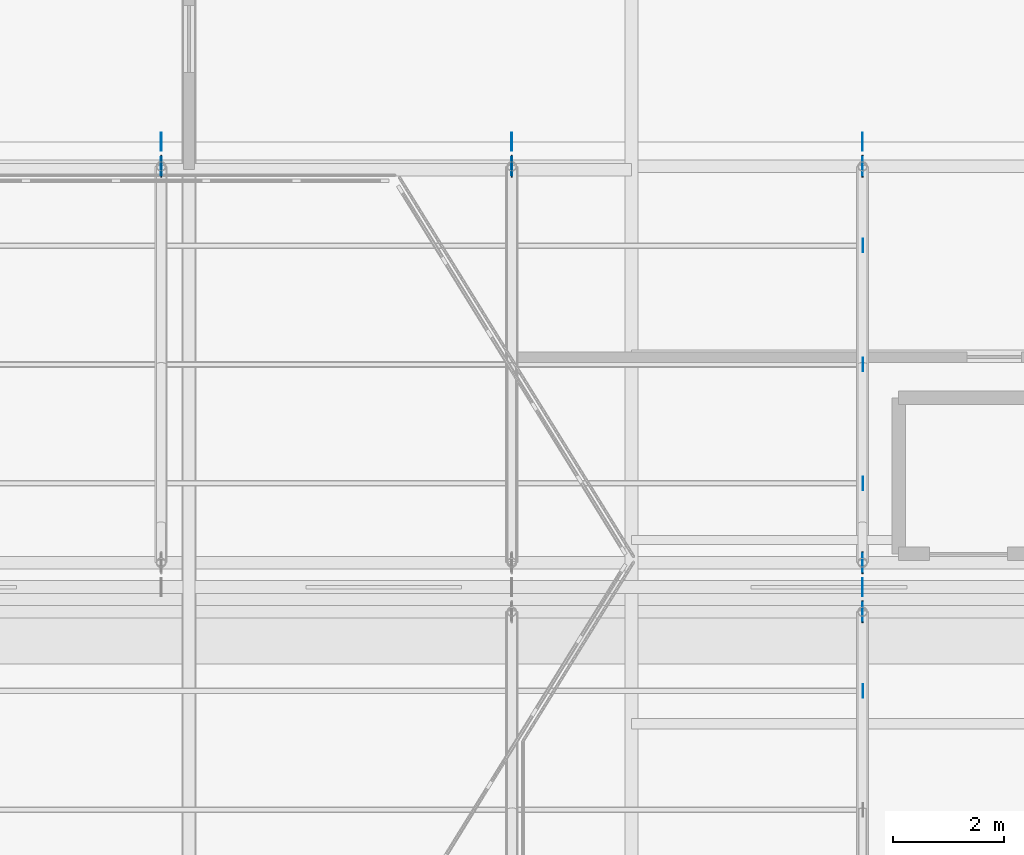
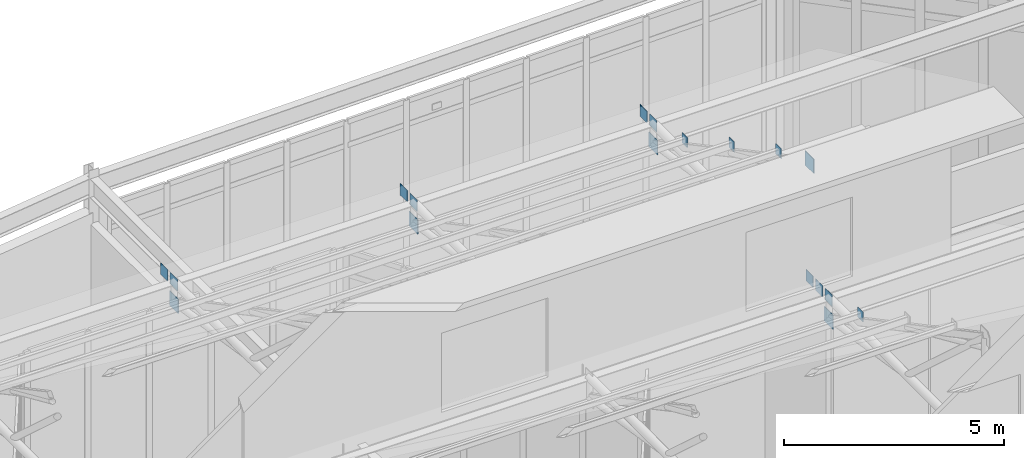
# One storey, part 53 of 66: 18 plates.
"""IFC4 building model written with IfcOpenShell, lengths in metres."""

from ifc_helpers import new_model, si_unit, direction, frame, origin, origin_2d, place, context, subcontext, project, spatial, rectangle, extrude, material, layer, layer_set, type_object, element, save


model = new_model("IFC4")

# Units and contexts
model_context = context("Model", 3, precision=1e-05, world=origin(), true_north=direction((0.0, 1.0)))
body_context = subcontext(model_context, "Body", "Model", "MODEL_VIEW")
ifc_project = project(units=[si_unit("LENGTHUNIT", "METRE"), si_unit("AREAUNIT", "SQUARE_METRE"), si_unit("VOLUMEUNIT", "CUBIC_METRE"), si_unit("PLANEANGLEUNIT", "RADIAN"), si_unit("MASSUNIT", "GRAM", prefix="KILO")], contexts=[model_context])

# Site, building, storey
site_placement = place(None, origin())
site = spatial("IfcSite", under=ifc_project, at=site_placement, CompositionType="ELEMENT")
building_placement = place(site_placement, origin())
building = spatial("IfcBuilding", under=site, at=building_placement, Name="Tameran Prism Museum", CompositionType="ELEMENT")
storey_placement = place(building_placement, frame((0.0, 0.0, 19.800048828125)))
storey = spatial("IfcBuildingStorey", under=building, at=storey_placement, Name="L04", CompositionType="ELEMENT", Elevation=19.800048828125)

# Plates
ifc_material_1 = material(Name="Steel Grade 350 (350 MPa)", Category="steel")
ifc_layer_1 = layer(ifc_material_1, 0.01611328125)
ifc_layer_set_1 = layer_set([ifc_layer_1])
plate_type_1 = type_object("IfcPlateType", Name="PL-CAP-16", PredefinedType="USERDEFINED", material=ifc_layer_set_1)
plate_placement = place(storey_placement, frame((89.60791015625, 34.135986328125, 9.0361328125), z_axis=(0.0, 0.0, 1.0), x_axis=(1.0, 0.0, 0.0)))
element("IfcPlate", 1, at=plate_placement, inside=storey, type_object=plate_type_1, Name="Purlin End Cap Plate PR-033 E", ObjectType="GUSSET PLATE", PredefinedType="USERDEFINED", context=body_context, shape_type="SweptSolid", body=[
    extrude(rectangle(XDim=0.01611328125, YDim=0.239990234375, at=origin_2d()), origin(), (0.0, 0.0, 1.0), 0.280029296875),
])
for number, where, z_axis, x_axis, name in (
    (2, (89.60009765625, 35.56005859375, 8.6259765625), (0.0, 0.0, 1.0), (1.0, 0.0, 0.0), "Truss Node Gusset Plate GP-0146"),
    (3, (89.60009765625, 36.0, 8.6259765625), (0.0, 0.0, 1.0), (1.0, 0.0, 0.0), "Truss Node Gusset Plate GP-0148"),
):
    element("IfcPlate", number, at=place(storey_placement, frame(where, z_axis=z_axis, x_axis=x_axis)), inside=storey, type_object=plate_type_1, Name=name, ObjectType="GUSSET PLATE", PredefinedType="USERDEFINED", context=body_context, shape_type="SweptSolid", body=[
        extrude(rectangle(XDim=0.01611328125, YDim=0.320068359375, at=origin_2d()), origin(), (0.0, 0.0, 1.0), 0.320068359375),
    ])
for number, where, z_axis, x_axis, name in (
    (4, (89.60791015625, 37.864013671875, 11.31591796875), (0.0, 0.0, 1.0), (1.0, 0.0, 0.0), "Purlin End Cap Plate PR-037 E"),
    (5, (89.60791015625, 40.0, 10.2041015625), (0.0, 0.0, 1.0), (1.0, 0.0, 0.0), "Purlin End Cap Plate PR-038 E"),
    (6, (89.60791015625, 42.135986328125, 9.0361328125), (0.0, 0.0, 1.0), (1.0, 0.0, 0.0), "Purlin End Cap Plate PR-039 E"),
):
    element("IfcPlate", number, at=place(storey_placement, frame(where, z_axis=z_axis, x_axis=x_axis)), inside=storey, type_object=plate_type_1, Name=name, ObjectType="GUSSET PLATE", PredefinedType="USERDEFINED", context=body_context, shape_type="SweptSolid", body=[
        extrude(rectangle(XDim=0.01611328125, YDim=0.239990234375, at=origin_2d()), origin(), (0.0, 0.0, 1.0), 0.280029296875),
    ])
for number, where, z_axis, x_axis, name in (
    (7, (77.0, 43.56005859375, 8.6259765625), (0.0, 0.0, 1.0), (1.0, 0.0, 0.0), "Truss Node Gusset Plate GP-0162"),
    (8, (77.0, 44.0, 8.6259765625), (0.0, 0.0, 1.0), (1.0, 0.0, 0.0), "Truss Node Gusset Plate GP-0164"),
    (9, (83.300048828125, 43.56005859375, 8.6259765625), (0.0, 0.0, 1.0), (1.0, 0.0, 0.0), "Truss Node Gusset Plate GP-0168"),
    (10, (83.300048828125, 44.0, 8.6259765625), (0.0, 0.0, 1.0), (1.0, 0.0, 0.0), "Truss Node Gusset Plate GP-0169"),
    (11, (89.60009765625, 36.43994140625, 8.6259765625), (0.0, 0.0, 1.0), (1.0, 0.0, 0.0), "Truss Node Gusset Plate GP-0172"),
    (12, (89.60009765625, 43.56005859375, 8.6259765625), (0.0, 0.0, 1.0), (1.0, 0.0, 0.0), "Truss Node Gusset Plate GP-0173"),
    (13, (89.60009765625, 44.0, 8.6259765625), (0.0, 0.0, 1.0), (1.0, 0.0, 0.0), "Truss Node Gusset Plate GP-0174"),
):
    element("IfcPlate", number, at=place(storey_placement, frame(where, z_axis=z_axis, x_axis=x_axis)), inside=storey, type_object=plate_type_1, Name=name, ObjectType="GUSSET PLATE", PredefinedType="USERDEFINED", context=body_context, shape_type="SweptSolid", body=[
        extrude(rectangle(XDim=0.01611328125, YDim=0.320068359375, at=origin_2d()), origin(), (0.0, 0.0, 1.0), 0.320068359375),
    ])
ifc_material_2 = material(Name="Steel Grade 350 (350 MPa)", Category="steel")
ifc_layer_2 = layer(ifc_material_2, 0.02001953125)
ifc_layer_set_2 = layer_set([ifc_layer_2])
plate_type_2 = type_object("IfcPlateType", Name="PL-GUS-20", PredefinedType="USERDEFINED", material=ifc_layer_set_2)
for number, where, z_axis, x_axis, name in (
    (14, (89.60009765625, 35.56005859375, 8.02392578125), (0.0, 0.0, 1.0), (1.0, 0.0, 0.0), "Truss Node Gusset Plate GP-0144"),
    (15, (77.0, 43.56005859375, 8.02392578125), (0.0, 0.0, 1.0), (1.0, 0.0, 0.0), "Truss Node Gusset Plate GP-0160"),
    (16, (83.300048828125, 43.56005859375, 8.02392578125), (0.0, 0.0, 1.0), (1.0, 0.0, 0.0), "Truss Node Gusset Plate GP-0166"),
    (17, (89.60009765625, 36.43994140625, 11.823974609375), (0.0, 0.0, 1.0), (1.0, 0.0, 0.0), "Truss Node Gusset Plate GP-0170"),
    (18, (89.60009765625, 43.56005859375, 8.02392578125), (0.0, 0.0, 1.0), (1.0, 0.0, 0.0), "Truss Node Gusset Plate GP-0171"),
):
    element("IfcPlate", number, at=place(storey_placement, frame(where, z_axis=z_axis, x_axis=x_axis)), inside=storey, type_object=plate_type_2, Name=name, ObjectType="GUSSET PLATE", PredefinedType="USERDEFINED", context=body_context, shape_type="SweptSolid", body=[
        extrude(rectangle(XDim=0.02001953125, YDim=0.39990234375, at=origin_2d()), origin(), (0.0, 0.0, 1.0), 0.39990234375),
    ])

save(model, "model.ifc")
